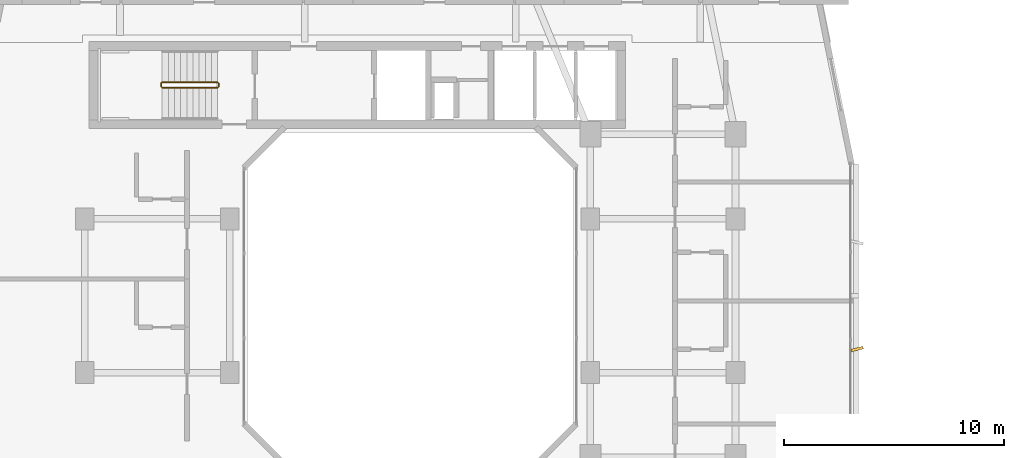
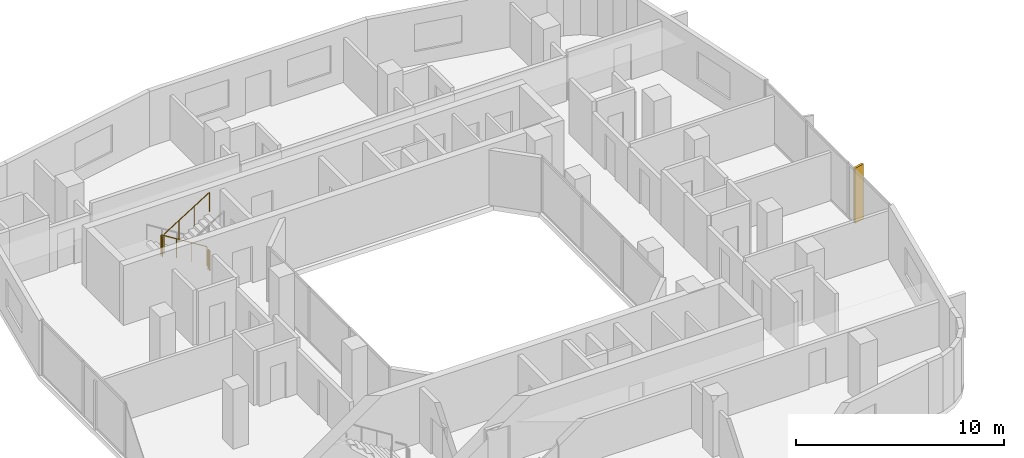
# One storey, part 24 of 26: 4 railings, 1 shading device.
"""IFC4 building model written with IfcOpenShell, lengths in metres."""

from ifc_helpers import new_model, si_unit, derived_unit, direction, frame, origin, origin_2d, place, context, subcontext, project, spatial, rectangle, circle, extrude, material, type_object, element, save


model = new_model("IFC4")

# Units and contexts
model_context = context("Model", 3, precision=1e-05, world=origin(), true_north=direction((0.0, 1.0)))
body_context = subcontext(model_context, "Body", "Model", "MODEL_VIEW")
ifc_project = project(units=[si_unit("LENGTHUNIT", "METRE"), si_unit("AREAUNIT", "SQUARE_METRE"), si_unit("VOLUMEUNIT", "CUBIC_METRE"), si_unit("PLANEANGLEUNIT", "RADIAN"), si_unit("MASSUNIT", "GRAM", prefix="KILO"), derived_unit("THERMALTRANSMITTANCEUNIT", [(si_unit("POWERUNIT", "WATT"), 1), (si_unit("LENGTHUNIT", "METRE"), -2), (si_unit("THERMODYNAMICTEMPERATUREUNIT", "KELVIN"), -1)])], contexts=[model_context])

# Site, building, storey
site_placement = place(None, origin())
site = spatial("IfcSite", under=ifc_project, at=site_placement, CompositionType="ELEMENT")
building_placement = place(site_placement, origin())
building = spatial("IfcBuilding", under=site, at=building_placement, Name="Kivonza Crest Hotel", CompositionType="ELEMENT")
storey_placement = place(building_placement, frame((0.0, 0.0, 95.0)))
storey = spatial("IfcBuildingStorey", under=building, at=storey_placement, Name="L25", CompositionType="ELEMENT", Elevation=95.0)

# Railings
ifc_material_1 = material(Name="Painted steel balustrade", Category="steel")
railing_type = type_object("IfcRailingType", Name="RL-STAIR-1150", PredefinedType="BALUSTRADE", material=ifc_material_1)
railing_1_placement = place(storey_placement, frame((12.239990234375, 34.7099609375, 0.175048828125)))
element("IfcRailing", 1, at=railing_1_placement, inside=storey, type_object=railing_type, Name="L25 ST-T1-N stair guard 1", PredefinedType="BALUSTRADE", context=body_context, shape_type="SweptSolid", body=[
    extrude(circle(Radius=0.02392578125, at=origin_2d()), frame((0.0, 0.0, 1.1259765625), z_axis=(-0.848007534815, 0.0, 0.529984170421), x_axis=(0.0, -1.0, 0.0)), (0.0, 0.0, 1.0), 2.9716796875),
    extrude(circle(Radius=0.02099609375, at=origin_2d()), origin(), (0.0, 0.0, 1.0), 1.101806640625),
    extrude(circle(Radius=0.02099609375, at=origin_2d()), frame((-0.840087890625, 0.0, 0.52490234375)), (0.0, 0.0, 1.0), 1.101806640625),
    extrude(circle(Radius=0.02099609375, at=origin_2d()), frame((-1.679931640625, 0.0, 1.050048828125)), (0.0, 0.0, 1.0), 1.101806640625),
    extrude(circle(Radius=0.02099609375, at=origin_2d()), frame((-2.52001953125, 0.0, 1.574951171875)), (0.0, 0.0, 1.0), 1.101806640625),
])
railing_2_placement = place(storey_placement, frame((9.669921875, 34.659912109375, 1.75)))
element("IfcRailing", 2, at=railing_2_placement, inside=storey, type_object=railing_type, Name="L25 ST-T1-N stair guard 2", PredefinedType="BALUSTRADE", context=body_context, shape_type="SweptSolid", body=[
    extrude(circle(Radius=0.02392578125, at=origin_2d()), frame((0.0, 0.0, 1.1259765625), z_axis=(0.0, -1.0, 0.0), x_axis=(1.0, 0.0, 0.0)), (0.0, 0.0, 1.0), 0.139892578125),
    extrude(circle(Radius=0.02099609375, at=origin_2d()), origin(), (0.0, 0.0, 1.0), 1.101806640625),
    extrude(circle(Radius=0.02099609375, at=origin_2d()), frame((0.0, -0.139892578125, 0.0)), (0.0, 0.0, 1.0), 1.101806640625),
])
railing_3_placement = place(storey_placement, frame((9.719970703125, 34.469970703125, 1.925048828125)))
element("IfcRailing", 3, at=railing_3_placement, inside=storey, type_object=railing_type, Name="L25 ST-T1-N stair guard 3", PredefinedType="BALUSTRADE", context=body_context, shape_type="SweptSolid", body=[
    extrude(circle(Radius=0.02392578125, at=origin_2d()), frame((0.0, 0.0, 1.1259765625), z_axis=(0.848007534815, 0.0, 0.529984170421), x_axis=(0.0, 1.0, 0.0)), (0.0, 0.0, 1.0), 2.9716796875),
    extrude(circle(Radius=0.02099609375, at=origin_2d()), origin(), (0.0, 0.0, 1.0), 1.101806640625),
    extrude(circle(Radius=0.02099609375, at=origin_2d()), frame((0.840087890625, 0.0, 0.52490234375)), (0.0, 0.0, 1.0), 1.101806640625),
    extrude(circle(Radius=0.02099609375, at=origin_2d()), frame((1.679931640625, 0.0, 1.050048828125)), (0.0, 0.0, 1.0), 1.101806640625),
    extrude(circle(Radius=0.02099609375, at=origin_2d()), frame((2.52001953125, 0.0, 1.574951171875)), (0.0, 0.0, 1.0), 1.101806640625),
])
railing_4_placement = place(storey_placement, frame((12.2900390625, 34.659912109375, 0.0)))
element("IfcRailing", 4, at=railing_4_placement, inside=storey, type_object=railing_type, Name="L25 ST-T1-N stair guard 4", PredefinedType="BALUSTRADE", context=body_context, shape_type="SweptSolid", body=[
    extrude(circle(Radius=0.02392578125, at=origin_2d()), frame((0.0, 0.0, 1.1259765625), z_axis=(0.0, -1.0, 0.0), x_axis=(1.0, 0.0, 0.0)), (0.0, 0.0, 1.0), 0.139892578125),
    extrude(circle(Radius=0.02099609375, at=origin_2d()), origin(), (0.0, 0.0, 1.0), 1.101806640625),
    extrude(circle(Radius=0.02099609375, at=origin_2d()), frame((0.0, -0.139892578125, 0.0)), (0.0, 0.0, 1.0), 1.101806640625),
])

# Shading device
ifc_material_2 = material(Name="Kiln-fired terracotta over extruded aluminium spine", Category="masonry")
shading_device_type = type_object("IfcShadingDeviceType", Name="SH-FIN-550", PredefinedType="USERDEFINED", material=ifc_material_2)
shading_device_placement = place(storey_placement, frame((41.340087890625, 22.575927734375, 0.0), z_axis=(0.0, 0.0, 1.0), x_axis=(-0.2419218956, 0.970295726276, 0.0)))
element("IfcShadingDevice", 5, at=shading_device_placement, inside=storey, type_object=shading_device_type, Name="L25 vertical solar shading fin CW-T1-L25-17-1", ObjectType="FIN", PredefinedType="USERDEFINED", context=body_context, shape_type="SweptSolid", body=[
    extrude(rectangle(XDim=0.1201171875, YDim=0.550048828125, at=origin_2d()), origin(), (0.0, 0.0, 1.0), 3.219970703125),
])

save(model, "model.ifc")
